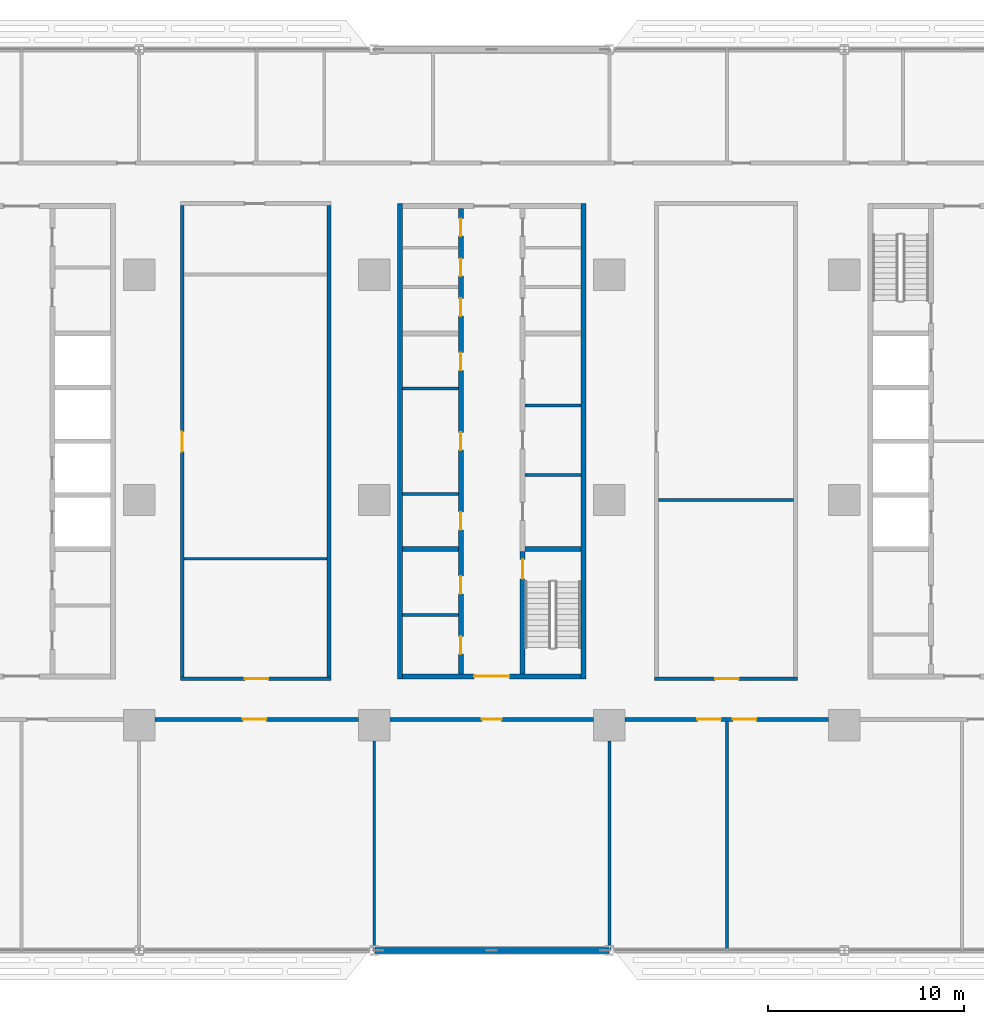
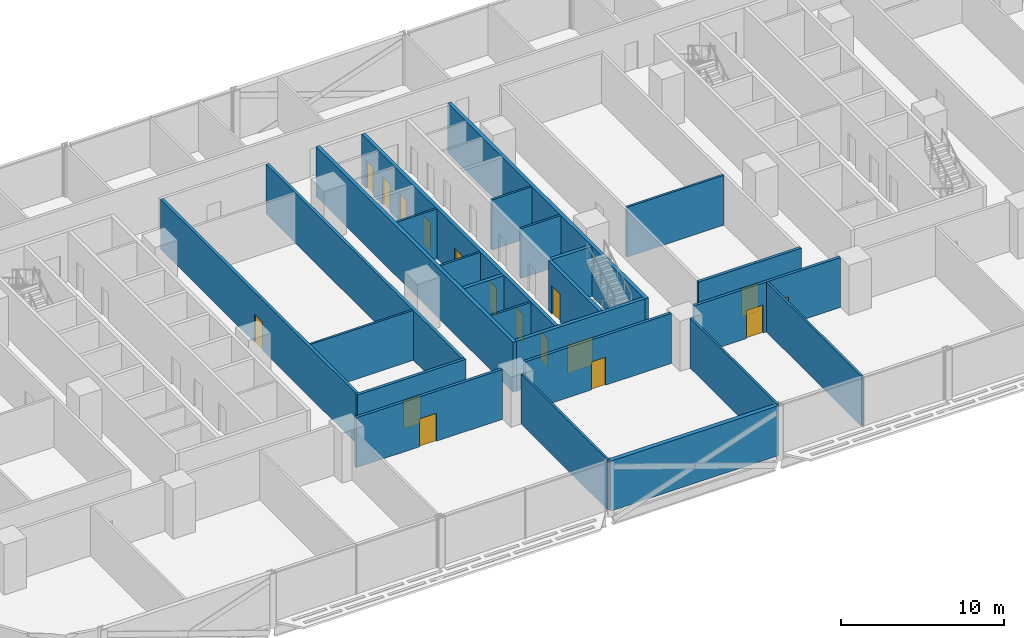
# One storey, part 11 of 29: 25 walls, 17 doors, 17 openings.
"""IFC4 building model written with IfcOpenShell, lengths in metres."""

from ifc_helpers import new_model, si_unit, direction, frame, frame_2d, origin, place, context, subcontext, project, spatial, rectangle, extrude, material, layer, layer_set, type_object, element, fill, save


model = new_model("IFC4")

# Units and contexts
model_context = context("Model", 3, precision=1e-05, world=origin(), true_north=direction((0.0, 1.0)))
body_context = subcontext(model_context, "Body", "Model", "MODEL_VIEW")
ifc_project = project(units=[si_unit("LENGTHUNIT", "METRE"), si_unit("AREAUNIT", "SQUARE_METRE"), si_unit("VOLUMEUNIT", "CUBIC_METRE"), si_unit("PLANEANGLEUNIT", "RADIAN"), si_unit("MASSUNIT", "GRAM", prefix="KILO")], contexts=[model_context])

# Site, building, storey
site_placement = place(None, origin())
site = spatial("IfcSite", under=ifc_project, at=site_placement, CompositionType="ELEMENT")
building_placement = place(site_placement, origin())
building = spatial("IfcBuilding", under=site, at=building_placement, Name="Mahtab Terrace Research Tower", CompositionType="ELEMENT")
storey_placement = place(building_placement, frame((0.0, 0.0, 37.300048828125)))
storey = spatial("IfcBuildingStorey", under=building, at=storey_placement, Name="L08", CompositionType="ELEMENT", Elevation=37.300048828125)

# Walls
ifc_material_1 = material(Name="Gypsum board partition")
ifc_layer_1 = layer(ifc_material_1, 0.14990234375)
ifc_layer_set_1 = layer_set([ifc_layer_1], Name="Core partition 150")
wall_type_1 = type_object("IfcWallType", Name="Core partition 150", PredefinedType="PARTITIONING", material=ifc_layer_set_1)
for number, where, z_axis, x_axis, name in (
    (1, (-4.550048828125, 0.3125, 0.0), (0.0, 0.0, 1.0), (1.0, 0.0, 0.0), "Core wall B pWL-269"),
    (2, (-4.550048828125, 5.6875, 0.0), (0.0, 0.0, 1.0), (1.0, 0.0, 0.0), "Core wall B pWL269"),
    (3, (1.699951171875, 1.280029296875, 0.0), (0.0, 0.0, 1.0), (1.0, 0.0, 0.0), "Core wall B pEL-172"),
    (4, (1.699951171875, 4.827392578125, 0.0), (0.0, 0.0, 1.0), (1.0, 0.0, 0.0), "Core wall B pEL183"),
    (5, (-4.550048828125, -5.875, 0.0), (0.0, 0.0, 1.0), (1.0, 0.0, 0.0), "Core wall B pWS-888"),
):
    element("IfcWall", number, at=place(storey_placement, frame(where, z_axis=z_axis, x_axis=x_axis)), inside=storey, type_object=wall_type_1, Name=name, PredefinedType="PARTITIONING", context=body_context, shape_type="SweptSolid", body=[
        extrude(rectangle(XDim=2.85009765625, YDim=0.14990234375, at=frame_2d((1.425048828125, 0.0))), origin(), (0.0, 0.0, 1.0), 3.75),
    ])
ifc_material_2 = material(Name="Concrete C70/85", Category="concrete")
ifc_layer_2 = layer(ifc_material_2, 0.25)
ifc_layer_set_2 = layer_set([ifc_layer_2], Name="Core wall 250")
wall_type_2 = type_object("IfcWallType", Name="Core wall 250", PredefinedType="SOLIDWALL", material=ifc_layer_set_2)
for number, where, z_axis, x_axis, name in (
    (6, (-4.675048828125, 15.125, 0.0), (0.0, 0.0, 1.0), (0.0, -1.0, 0.0), "Core wall B outerW"),
    (7, (4.675048828125, -9.125, 0.0), (0.0, 0.0, 1.0), (0.0, 1.0, 0.0), "Core wall B outerE"),
):
    element("IfcWall", number, at=place(storey_placement, frame(where, z_axis=z_axis, x_axis=x_axis)), inside=storey, type_object=wall_type_2, Name=name, PredefinedType="SOLIDWALL", context=body_context, shape_type="SweptSolid", body=[
        extrude(rectangle(XDim=24.25, YDim=0.25, at=frame_2d((12.125, 0.0))), origin(), (0.0, 0.0, 1.0), 3.75),
    ])

# Wall, opening, door
wall_1_placement = place(storey_placement, frame((4.550048828125, -9.0, 0.0), z_axis=(0.0, 0.0, 1.0), x_axis=(-1.0, 0.0, 0.0)))
wall_1 = element("IfcWall", 8, at=wall_1_placement, inside=storey, type_object=wall_type_2, Name="Core wall B endS", PredefinedType="SOLIDWALL", context=body_context, shape_type="SweptSolid", body=[
    extrude(rectangle(XDim=9.10009765625, YDim=0.25, at=frame_2d((4.550048828125, 0.0))), origin(), (0.0, 0.0, 1.0), 3.75),
])
opening_1_placement = place(wall_1_placement, frame((3.64990234375, 0.0, 0.0)))
opening_1 = element("IfcOpeningElement", 9, at=opening_1_placement, cuts=wall_1, Name="Opening B-S1", PredefinedType="OPENING", context=body_context, shape_type="SweptSolid", body=[
    extrude(rectangle(XDim=1.800048828125, YDim=2.10009765625, at=frame_2d((0.89990234375, 1.050048828125))), frame((0.0, 0.135009765625, 0.0), z_axis=(0.0, -1.0, 0.0), x_axis=(1.0, 0.0, 0.0)), (0.0, 0.0, 1.0), 0.27001953125),
])
ifc_material_3 = material(Name="Steel fire door", Category="steel")
door_type_1 = type_object("IfcDoorType", Name="Lobby double door 1800x2100 1 HR", OperationType="DOUBLE_DOOR_SINGLE_SWING", PredefinedType="DOOR", material=ifc_material_3)
door_1_placement = place(opening_1_placement, origin())
door_1 = element("IfcDoor", 10, at=door_1_placement, inside=storey, type_object=door_type_1, Name="Core entrance door B S", OperationType="DOUBLE_DOOR_SINGLE_SWING", OverallHeight=2.10009765625, OverallWidth=1.800048828125, PredefinedType="DOOR", context=body_context, shape_type="SweptSolid", body=[
    extrude(rectangle(XDim=1.800048828125, YDim=2.10009765625, at=frame_2d((0.89990234375, 1.050048828125))), frame((0.0, 0.02490234375, 0.0), z_axis=(0.0, -1.0, 0.0), x_axis=(1.0, 0.0, 0.0)), (0.0, 0.0, 1.0), 0.050048828125),
])
fill(opening_1, door_1)

# Wall, openings, doors
wall_2_placement = place(storey_placement, frame((-1.574951171875, -8.875, 0.0), z_axis=(0.0, 0.0, 1.0), x_axis=(0.0, 1.0, 0.0)))
wall_2 = element("IfcWall", 11, at=wall_2_placement, inside=storey, type_object=wall_type_2, Name="Core wall B innerWSLN", PredefinedType="SOLIDWALL", context=body_context, shape_type="SweptSolid", body=[
    extrude(rectangle(XDim=23.75, YDim=0.25, at=frame_2d((11.875, 0.0))), origin(), (0.0, 0.0, 1.0), 3.75),
])
opening_2_placement = place(wall_2_placement, frame((7.356201171875, 0.0, 0.0)))
opening_2 = element("IfcOpeningElement", 12, at=opening_2_placement, cuts=wall_2, Name="Opening B-R1", PredefinedType="OPENING", context=body_context, shape_type="SweptSolid", body=[
    extrude(rectangle(XDim=0.89990234375, YDim=2.10009765625, at=frame_2d((0.449951171875, 1.050048828125))), frame((0.0, 0.135009765625, 0.0), z_axis=(0.0, -1.0, 0.0), x_axis=(1.0, 0.0, 0.0)), (0.0, 0.0, 1.0), 0.27001953125),
])
opening_3_placement = place(wall_2_placement, frame((11.425048828125, 0.0, 0.0)))
opening_3 = element("IfcOpeningElement", 13, at=opening_3_placement, cuts=wall_2, Name="Opening B-R2", PredefinedType="OPENING", context=body_context, shape_type="SweptSolid", body=[
    extrude(rectangle(XDim=0.89990234375, YDim=2.10009765625, at=frame_2d((0.449951171875, 1.050048828125))), frame((0.0, 0.135009765625, 0.0), z_axis=(0.0, -1.0, 0.0), x_axis=(1.0, 0.0, 0.0)), (0.0, 0.0, 1.0), 0.27001953125),
])
opening_4_placement = place(wall_2_placement, frame((15.493896484375, 0.0, 0.0)))
opening_4 = element("IfcOpeningElement", 14, at=opening_4_placement, cuts=wall_2, Name="Opening B-R3", PredefinedType="OPENING", context=body_context, shape_type="SweptSolid", body=[
    extrude(rectangle(XDim=0.89990234375, YDim=2.10009765625, at=frame_2d((0.449951171875, 1.050048828125))), frame((0.0, 0.135009765625, 0.0), z_axis=(0.0, -1.0, 0.0), x_axis=(1.0, 0.0, 0.0)), (0.0, 0.0, 1.0), 0.27001953125),
])
opening_5_placement = place(wall_2_placement, frame((1.012451171875, 0.0, 0.0)))
opening_5 = element("IfcOpeningElement", 15, at=opening_5_placement, cuts=wall_2, Name="Opening B-R7", PredefinedType="OPENING", context=body_context, shape_type="SweptSolid", body=[
    extrude(rectangle(XDim=0.89990234375, YDim=2.10009765625, at=frame_2d((0.449951171875, 1.050048828125))), frame((0.0, 0.135009765625, 0.0), z_axis=(0.0, -1.0, 0.0), x_axis=(1.0, 0.0, 0.0)), (0.0, 0.0, 1.0), 0.27001953125),
])
opening_6_placement = place(wall_2_placement, frame((4.08740234375, 0.0, 0.0)))
opening_6 = element("IfcOpeningElement", 16, at=opening_6_placement, cuts=wall_2, Name="Opening B-R8", PredefinedType="OPENING", context=body_context, shape_type="SweptSolid", body=[
    extrude(rectangle(XDim=0.89990234375, YDim=2.10009765625, at=frame_2d((0.449951171875, 1.050048828125))), frame((0.0, 0.135009765625, 0.0), z_axis=(0.0, -1.0, 0.0), x_axis=(1.0, 0.0, 0.0)), (0.0, 0.0, 1.0), 0.27001953125),
])
opening_7_placement = place(wall_2_placement, frame((18.262451171875, 0.0, 0.0)))
opening_7 = element("IfcOpeningElement", 17, at=opening_7_placement, cuts=wall_2, Name="Opening B-R9", PredefinedType="OPENING", context=body_context, shape_type="SweptSolid", body=[
    extrude(rectangle(XDim=0.89990234375, YDim=2.10009765625, at=frame_2d((0.449951171875, 1.050048828125))), frame((0.0, 0.135009765625, 0.0), z_axis=(0.0, -1.0, 0.0), x_axis=(1.0, 0.0, 0.0)), (0.0, 0.0, 1.0), 0.27001953125),
])
opening_8_placement = place(wall_2_placement, frame((20.300048828125, 0.0, 0.0)))
opening_8 = element("IfcOpeningElement", 18, at=opening_8_placement, cuts=wall_2, Name="Opening B-R10", PredefinedType="OPENING", context=body_context, shape_type="SweptSolid", body=[
    extrude(rectangle(XDim=0.89990234375, YDim=2.10009765625, at=frame_2d((0.449951171875, 1.050048828125))), frame((0.0, 0.135009765625, 0.0), z_axis=(0.0, -1.0, 0.0), x_axis=(1.0, 0.0, 0.0)), (0.0, 0.0, 1.0), 0.27001953125),
])
opening_9_placement = place(wall_2_placement, frame((22.33740234375, 0.0, 0.0)))
opening_9 = element("IfcOpeningElement", 19, at=opening_9_placement, cuts=wall_2, Name="Opening B-R11", PredefinedType="OPENING", context=body_context, shape_type="SweptSolid", body=[
    extrude(rectangle(XDim=0.89990234375, YDim=2.10009765625, at=frame_2d((0.449951171875, 1.050048828125))), frame((0.0, 0.135009765625, 0.0), z_axis=(0.0, -1.0, 0.0), x_axis=(1.0, 0.0, 0.0)), (0.0, 0.0, 1.0), 0.27001953125),
])
door_type_2 = type_object("IfcDoorType", Name="Room door 900x2100 1 HR", OperationType="NOTDEFINED", PredefinedType="DOOR", material=ifc_material_3)
door_2_placement = place(opening_2_placement, origin())
door_2 = element("IfcDoor", 20, at=door_2_placement, inside=storey, type_object=door_type_2, Name="Comms room door", OperationType="SINGLE_SWING_LEFT", OverallHeight=2.10009765625, OverallWidth=0.89990234375, PredefinedType="DOOR", context=body_context, shape_type="SweptSolid", body=[
    extrude(rectangle(XDim=0.89990234375, YDim=2.10009765625, at=frame_2d((0.449951171875, 1.050048828125))), frame((0.0, 0.02490234375, 0.0), z_axis=(0.0, -1.0, 0.0), x_axis=(1.0, 0.0, 0.0)), (0.0, 0.0, 1.0), 0.050048828125),
])
fill(opening_2, door_2)
door_3_placement = place(opening_3_placement, origin())
door_3 = element("IfcDoor", 21, at=door_3_placement, inside=storey, type_object=door_type_2, Name="Meeting alcove door", OperationType="SINGLE_SWING_RIGHT", OverallHeight=2.10009765625, OverallWidth=0.89990234375, PredefinedType="DOOR", context=body_context, shape_type="SweptSolid", body=[
    extrude(rectangle(XDim=0.89990234375, YDim=2.10009765625, at=frame_2d((0.449951171875, 1.050048828125))), frame((0.0, 0.02490234375, 0.0), z_axis=(0.0, -1.0, 0.0), x_axis=(1.0, 0.0, 0.0)), (0.0, 0.0, 1.0), 0.050048828125),
])
fill(opening_3, door_3)
door_4_placement = place(opening_4_placement, origin())
door_4 = element("IfcDoor", 22, at=door_4_placement, inside=storey, type_object=door_type_2, Name="Linen store door", OperationType="SINGLE_SWING_LEFT", OverallHeight=2.10009765625, OverallWidth=0.89990234375, PredefinedType="DOOR", context=body_context, shape_type="SweptSolid", body=[
    extrude(rectangle(XDim=0.89990234375, YDim=2.10009765625, at=frame_2d((0.449951171875, 1.050048828125))), frame((0.0, 0.02490234375, 0.0), z_axis=(0.0, -1.0, 0.0), x_axis=(1.0, 0.0, 0.0)), (0.0, 0.0, 1.0), 0.050048828125),
])
fill(opening_4, door_4)
door_5_placement = place(opening_5_placement, origin())
door_5 = element("IfcDoor", 23, at=door_5_placement, inside=storey, type_object=door_type_2, Name="Housekeeping store door", OperationType="SINGLE_SWING_LEFT", OverallHeight=2.10009765625, OverallWidth=0.89990234375, PredefinedType="DOOR", context=body_context, shape_type="SweptSolid", body=[
    extrude(rectangle(XDim=0.89990234375, YDim=2.10009765625, at=frame_2d((0.449951171875, 1.050048828125))), frame((0.0, 0.02490234375, 0.0), z_axis=(0.0, -1.0, 0.0), x_axis=(1.0, 0.0, 0.0)), (0.0, 0.0, 1.0), 0.050048828125),
])
fill(opening_5, door_5)
door_6_placement = place(opening_6_placement, origin())
door_6 = element("IfcDoor", 24, at=door_6_placement, inside=storey, type_object=door_type_2, Name="Electrical riser room door", OperationType="SINGLE_SWING_RIGHT", OverallHeight=2.10009765625, OverallWidth=0.89990234375, PredefinedType="DOOR", context=body_context, shape_type="SweptSolid", body=[
    extrude(rectangle(XDim=0.89990234375, YDim=2.10009765625, at=frame_2d((0.449951171875, 1.050048828125))), frame((0.0, 0.02490234375, 0.0), z_axis=(0.0, -1.0, 0.0), x_axis=(1.0, 0.0, 0.0)), (0.0, 0.0, 1.0), 0.050048828125),
])
fill(opening_6, door_6)
door_7_placement = place(opening_7_placement, origin())
door_7 = element("IfcDoor", 25, at=door_7_placement, inside=storey, type_object=door_type_2, Name="Comms riser room door", OperationType="SINGLE_SWING_LEFT", OverallHeight=2.10009765625, OverallWidth=0.89990234375, PredefinedType="DOOR", context=body_context, shape_type="SweptSolid", body=[
    extrude(rectangle(XDim=0.89990234375, YDim=2.10009765625, at=frame_2d((0.449951171875, 1.050048828125))), frame((0.0, 0.02490234375, 0.0), z_axis=(0.0, -1.0, 0.0), x_axis=(1.0, 0.0, 0.0)), (0.0, 0.0, 1.0), 0.050048828125),
])
fill(opening_7, door_7)
door_8_placement = place(opening_8_placement, origin())
door_8 = element("IfcDoor", 26, at=door_8_placement, inside=storey, type_object=door_type_2, Name="Pantry door", OperationType="SINGLE_SWING_RIGHT", OverallHeight=2.10009765625, OverallWidth=0.89990234375, PredefinedType="DOOR", context=body_context, shape_type="SweptSolid", body=[
    extrude(rectangle(XDim=0.89990234375, YDim=2.10009765625, at=frame_2d((0.449951171875, 1.050048828125))), frame((0.0, 0.02490234375, 0.0), z_axis=(0.0, -1.0, 0.0), x_axis=(1.0, 0.0, 0.0)), (0.0, 0.0, 1.0), 0.050048828125),
])
fill(opening_8, door_8)
door_9_placement = place(opening_9_placement, origin())
door_9 = element("IfcDoor", 27, at=door_9_placement, inside=storey, type_object=door_type_2, Name="Cleaners store door", OperationType="SINGLE_SWING_LEFT", OverallHeight=2.10009765625, OverallWidth=0.89990234375, PredefinedType="DOOR", context=body_context, shape_type="SweptSolid", body=[
    extrude(rectangle(XDim=0.89990234375, YDim=2.10009765625, at=frame_2d((0.449951171875, 1.050048828125))), frame((0.0, 0.02490234375, 0.0), z_axis=(0.0, -1.0, 0.0), x_axis=(1.0, 0.0, 0.0)), (0.0, 0.0, 1.0), 0.050048828125),
])
fill(opening_9, door_9)

# Wall, opening, door
wall_3_placement = place(storey_placement, frame((1.574951171875, -8.875, 0.0), z_axis=(0.0, 0.0, 1.0), x_axis=(0.0, 1.0, 0.0)))
wall_3 = element("IfcWall", 28, at=wall_3_placement, inside=storey, type_object=wall_type_2, Name="Core wall B innerES", PredefinedType="SOLIDWALL", context=body_context, shape_type="SweptSolid", body=[
    extrude(rectangle(XDim=6.25, YDim=0.25, at=frame_2d((3.125, 0.0))), origin(), (0.0, 0.0, 1.0), 3.75),
])
opening_10_placement = place(wall_3_placement, frame((4.85009765625, 0.0, 0.0)))
opening_10 = element("IfcOpeningElement", 29, at=opening_10_placement, cuts=wall_3, Name="Opening B-ST2", PredefinedType="OPENING", context=body_context, shape_type="SweptSolid", body=[
    extrude(rectangle(XDim=1.0, YDim=2.10009765625, at=frame_2d((0.5, 1.050048828125))), frame((0.0, 0.135009765625, 0.0), z_axis=(0.0, -1.0, 0.0), x_axis=(1.0, 0.0, 0.0)), (0.0, 0.0, 1.0), 0.27001953125),
])
door_type_3 = type_object("IfcDoorType", Name="Stair door 1000x2100 1.5 HR", OperationType="NOTDEFINED", PredefinedType="DOOR", material=ifc_material_3)
door_10_placement = place(opening_10_placement, origin())
door_10 = element("IfcDoor", 30, at=door_10_placement, inside=storey, type_object=door_type_3, Name="Stair door ST2 L08", OperationType="SINGLE_SWING_LEFT", OverallHeight=2.10009765625, OverallWidth=1.0, PredefinedType="DOOR", context=body_context, shape_type="SweptSolid", body=[
    extrude(rectangle(XDim=1.0, YDim=2.10009765625, at=frame_2d((0.5, 1.050048828125))), frame((0.0, 0.02490234375, 0.0), z_axis=(0.0, -1.0, 0.0), x_axis=(1.0, 0.0, 0.0)), (0.0, 0.0, 1.0), 0.050048828125),
])
fill(opening_10, door_10)

# Walls
for number, where, z_axis, x_axis, name in (
    (31, (-4.550048828125, -2.5, 0.0), (0.0, 0.0, 1.0), (1.0, 0.0, 0.0), "Core wall B divW0"),
    (32, (1.699951171875, -2.5, 0.0), (0.0, 0.0, 1.0), (1.0, 0.0, 0.0), "Core wall B divE0"),
):
    element("IfcWall", number, at=place(storey_placement, frame(where, z_axis=z_axis, x_axis=x_axis)), inside=storey, type_object=wall_type_2, Name=name, PredefinedType="SOLIDWALL", context=body_context, shape_type="SweptSolid", body=[
        extrude(rectangle(XDim=2.85009765625, YDim=0.25, at=frame_2d((1.425048828125, 0.0))), origin(), (0.0, 0.0, 1.0), 3.75),
    ])
ifc_material_4 = material(Name="Black aluminium cladding panel", Category="aluminium")
ifc_layer_3 = layer(ifc_material_4, 0.300048828125)
ifc_layer_set_3 = layer_set([ifc_layer_3], Name="Opaque facade wall 300")
wall_type_3 = type_object("IfcWallType", Name="Opaque facade wall 300", PredefinedType="NOTDEFINED", material=ifc_layer_set_3)
wall_4_placement = place(storey_placement, frame((-5.97216796875, -23.0, 0.0), z_axis=(0.0, 0.0, 1.0), x_axis=(1.0, 0.0, 0.0)))
element("IfcWall", 33, at=wall_4_placement, inside=storey, type_object=wall_type_3, Name="Opaque facade wall L08 S25", PredefinedType="NOTDEFINED", context=body_context, shape_type="SweptSolid", body=[
    extrude(rectangle(XDim=11.9443359375, YDim=0.300048828125, at=frame_2d((5.97216796875, 0.0))), origin(), (0.0, 0.0, 1.0), 3.75),
])

# Wall, opening, door
ifc_material_5 = material(Name="Gypsum board corridor wall on steel studs", Category="steel")
ifc_layer_4 = layer(ifc_material_5, 0.199951171875)
ifc_layer_set_4 = layer_set([ifc_layer_4], Name="WALL CORRIDOR 200")
wall_type_4 = type_object("IfcWallType", Name="WALL CORRIDOR 200", PredefinedType="PARTITIONING", material=ifc_layer_set_4)
wall_5_placement = place(storey_placement, frame((-17.199951171875, -11.199951171875, 0.0), z_axis=(0.0, 0.0, 1.0), x_axis=(1.0, 0.0, 0.0)))
wall_5 = element("IfcWall", 34, at=wall_5_placement, inside=storey, type_object=wall_type_4, Name="L08-W004", PredefinedType="PARTITIONING", context=body_context, shape_type="SweptSolid", body=[
    extrude(rectangle(XDim=10.39990234375, YDim=0.199951171875, at=frame_2d((5.199951171875, 0.0))), origin(), (0.0, 0.0, 1.0), 3.75),
])
opening_11_placement = place(wall_5_placement, frame((4.5, 0.0, 0.0)))
opening_11 = element("IfcOpeningElement", 35, at=opening_11_placement, cuts=wall_5, Name="Opening L08-104", PredefinedType="OPENING", context=body_context, shape_type="SweptSolid", body=[
    extrude(rectangle(XDim=1.199951171875, YDim=2.10009765625, at=frame_2d((0.60009765625, 1.050048828125))), frame((0.0, 0.10986328125, 0.0), z_axis=(0.0, -1.0, 0.0), x_axis=(1.0, 0.0, 0.0)), (0.0, 0.0, 1.0), 0.219970703125),
])
ifc_material_6 = material(Name="Timber door leaf in steel frame", Category="steel")
door_type_4 = type_object("IfcDoorType", Name="DOOR 1200X2100 FD30S", OperationType="SINGLE_SWING_LEFT", PredefinedType="DOOR", material=ifc_material_6)
door_11_placement = place(opening_11_placement, origin())
door_11 = element("IfcDoor", 36, at=door_11_placement, inside=storey, type_object=door_type_4, Name="Door L08-104", OperationType="SINGLE_SWING_RIGHT", OverallHeight=2.10009765625, OverallWidth=1.199951171875, PredefinedType="DOOR", context=body_context, shape_type="SweptSolid", body=[
    extrude(rectangle(XDim=1.199951171875, YDim=2.10009765625, at=frame_2d((0.60009765625, 1.050048828125))), frame((0.0, 0.02490234375, 0.0), z_axis=(0.0, -1.0, 0.0), x_axis=(1.0, 0.0, 0.0)), (0.0, 0.0, 1.0), 0.050048828125),
])
fill(opening_11, door_11)

wall_6_placement = place(storey_placement, frame((-5.199951171875, -11.199951171875, 0.0), z_axis=(0.0, 0.0, 1.0), x_axis=(1.0, 0.0, 0.0)))
wall_6 = element("IfcWall", 37, at=wall_6_placement, inside=storey, type_object=wall_type_4, Name="L08-W005", PredefinedType="PARTITIONING", context=body_context, shape_type="SweptSolid", body=[
    extrude(rectangle(XDim=10.39990234375, YDim=0.199951171875, at=frame_2d((5.199951171875, 0.0))), origin(), (0.0, 0.0, 1.0), 3.75),
])
opening_12_placement = place(wall_6_placement, frame((4.699951171875, 0.0, 0.0)))
opening_12 = element("IfcOpeningElement", 38, at=opening_12_placement, cuts=wall_6, Name="Opening L08-105", PredefinedType="OPENING", context=body_context, shape_type="SweptSolid", body=[
    extrude(rectangle(XDim=1.0, YDim=2.10009765625, at=frame_2d((0.5, 1.050048828125))), frame((0.0, 0.10986328125, 0.0), z_axis=(0.0, -1.0, 0.0), x_axis=(1.0, 0.0, 0.0)), (0.0, 0.0, 1.0), 0.219970703125),
])
door_type_5 = type_object("IfcDoorType", Name="DOOR 1000X2100 FD30S", OperationType="SINGLE_SWING_LEFT", PredefinedType="DOOR", material=ifc_material_6)
door_12_placement = place(opening_12_placement, origin())
door_12 = element("IfcDoor", 39, at=door_12_placement, inside=storey, type_object=door_type_5, Name="Door L08-105", OperationType="SINGLE_SWING_RIGHT", OverallHeight=2.10009765625, OverallWidth=1.0, PredefinedType="DOOR", context=body_context, shape_type="SweptSolid", body=[
    extrude(rectangle(XDim=1.0, YDim=2.10009765625, at=frame_2d((0.5, 1.050048828125))), frame((0.0, 0.02490234375, 0.0), z_axis=(0.0, -1.0, 0.0), x_axis=(1.0, 0.0, 0.0)), (0.0, 0.0, 1.0), 0.050048828125),
])
fill(opening_12, door_12)

# Wall, openings, doors
wall_7_placement = place(storey_placement, frame((6.800048828125, -11.199951171875, 0.0), z_axis=(0.0, 0.0, 1.0), x_axis=(1.0, 0.0, 0.0)))
wall_7 = element("IfcWall", 40, at=wall_7_placement, inside=storey, type_object=wall_type_4, Name="L08-W006", PredefinedType="PARTITIONING", context=body_context, shape_type="SweptSolid", body=[
    extrude(rectangle(XDim=10.39990234375, YDim=0.199951171875, at=frame_2d((5.199951171875, 0.0))), origin(), (0.0, 0.0, 1.0), 3.75),
])
opening_13_placement = place(wall_7_placement, frame((3.699951171875, 0.0, 0.0)))
opening_13 = element("IfcOpeningElement", 41, at=opening_13_placement, cuts=wall_7, Name="Opening L08-106", PredefinedType="OPENING", context=body_context, shape_type="SweptSolid", body=[
    extrude(rectangle(XDim=1.199951171875, YDim=2.10009765625, at=frame_2d((0.60009765625, 1.050048828125))), frame((0.0, 0.10986328125, 0.0), z_axis=(0.0, -1.0, 0.0), x_axis=(1.0, 0.0, 0.0)), (0.0, 0.0, 1.0), 0.219970703125),
])
opening_14_placement = place(wall_7_placement, frame((5.5, 0.0, 0.0)))
opening_14 = element("IfcOpeningElement", 42, at=opening_14_placement, cuts=wall_7, Name="Opening L08-107", PredefinedType="OPENING", context=body_context, shape_type="SweptSolid", body=[
    extrude(rectangle(XDim=1.199951171875, YDim=2.10009765625, at=frame_2d((0.60009765625, 1.050048828125))), frame((0.0, 0.10986328125, 0.0), z_axis=(0.0, -1.0, 0.0), x_axis=(1.0, 0.0, 0.0)), (0.0, 0.0, 1.0), 0.219970703125),
])
door_13_placement = place(opening_13_placement, origin())
door_13 = element("IfcDoor", 43, at=door_13_placement, inside=storey, type_object=door_type_4, Name="Door L08-106", OperationType="SINGLE_SWING_RIGHT", OverallHeight=2.10009765625, OverallWidth=1.199951171875, PredefinedType="DOOR", context=body_context, shape_type="SweptSolid", body=[
    extrude(rectangle(XDim=1.199951171875, YDim=2.10009765625, at=frame_2d((0.60009765625, 1.050048828125))), frame((0.0, 0.02490234375, 0.0), z_axis=(0.0, -1.0, 0.0), x_axis=(1.0, 0.0, 0.0)), (0.0, 0.0, 1.0), 0.050048828125),
])
fill(opening_13, door_13)
door_14_placement = place(opening_14_placement, origin())
door_14 = element("IfcDoor", 44, at=door_14_placement, inside=storey, type_object=door_type_4, Name="Door L08-107", OperationType="SINGLE_SWING_LEFT", OverallHeight=2.10009765625, OverallWidth=1.199951171875, PredefinedType="DOOR", context=body_context, shape_type="SweptSolid", body=[
    extrude(rectangle(XDim=1.199951171875, YDim=2.10009765625, at=frame_2d((0.60009765625, 1.050048828125))), frame((0.0, 0.02490234375, 0.0), z_axis=(0.0, -1.0, 0.0), x_axis=(1.0, 0.0, 0.0)), (0.0, 0.0, 1.0), 0.050048828125),
])
fill(opening_14, door_14)

# Wall, opening, door
wall_8_placement = place(storey_placement, frame((-15.89990234375, -9.125, 0.0), z_axis=(0.0, 0.0, 1.0), x_axis=(1.0, 0.0, 0.0)))
wall_8 = element("IfcWall", 45, at=wall_8_placement, inside=storey, type_object=wall_type_4, Name="L08-W011", PredefinedType="PARTITIONING", context=body_context, shape_type="SweptSolid", body=[
    extrude(rectangle(XDim=7.699951171875, YDim=0.199951171875, at=frame_2d((3.85009765625, 0.0))), origin(), (0.0, 0.0, 1.0), 3.75),
])
opening_15_placement = place(wall_8_placement, frame((3.300048828125, 0.0, 0.0)))
opening_15 = element("IfcOpeningElement", 46, at=opening_15_placement, cuts=wall_8, Name="Opening L08-111", PredefinedType="OPENING", context=body_context, shape_type="SweptSolid", body=[
    extrude(rectangle(XDim=1.199951171875, YDim=2.10009765625, at=frame_2d((0.60009765625, 1.050048828125))), frame((0.0, 0.10986328125, 0.0), z_axis=(0.0, -1.0, 0.0), x_axis=(1.0, 0.0, 0.0)), (0.0, 0.0, 1.0), 0.219970703125),
])
door_15_placement = place(opening_15_placement, origin())
door_15 = element("IfcDoor", 47, at=door_15_placement, inside=storey, type_object=door_type_4, Name="Door L08-111", OperationType="SINGLE_SWING_RIGHT", OverallHeight=2.10009765625, OverallWidth=1.199951171875, PredefinedType="DOOR", context=body_context, shape_type="SweptSolid", body=[
    extrude(rectangle(XDim=1.199951171875, YDim=2.10009765625, at=frame_2d((0.60009765625, 1.050048828125))), frame((0.0, 0.02490234375, 0.0), z_axis=(0.0, -1.0, 0.0), x_axis=(1.0, 0.0, 0.0)), (0.0, 0.0, 1.0), 0.050048828125),
])
fill(opening_15, door_15)

wall_9_placement = place(storey_placement, frame((8.300048828125, -9.125, 0.0), z_axis=(0.0, 0.0, 1.0), x_axis=(1.0, 0.0, 0.0)))
wall_9 = element("IfcWall", 48, at=wall_9_placement, inside=storey, type_object=wall_type_4, Name="L08-W012", PredefinedType="PARTITIONING", context=body_context, shape_type="SweptSolid", body=[
    extrude(rectangle(XDim=7.300048828125, YDim=0.199951171875, at=frame_2d((3.64990234375, 0.0))), origin(), (0.0, 0.0, 1.0), 3.75),
])
opening_16_placement = place(wall_9_placement, frame((3.10009765625, 0.0, 0.0)))
opening_16 = element("IfcOpeningElement", 49, at=opening_16_placement, cuts=wall_9, Name="Opening L08-116", PredefinedType="OPENING", context=body_context, shape_type="SweptSolid", body=[
    extrude(rectangle(XDim=1.199951171875, YDim=2.10009765625, at=frame_2d((0.60009765625, 1.050048828125))), frame((0.0, 0.10986328125, 0.0), z_axis=(0.0, -1.0, 0.0), x_axis=(1.0, 0.0, 0.0)), (0.0, 0.0, 1.0), 0.219970703125),
])
door_16_placement = place(opening_16_placement, origin())
door_16 = element("IfcDoor", 50, at=door_16_placement, inside=storey, type_object=door_type_4, Name="Door L08-116", OperationType="SINGLE_SWING_RIGHT", OverallHeight=2.10009765625, OverallWidth=1.199951171875, PredefinedType="DOOR", context=body_context, shape_type="SweptSolid", body=[
    extrude(rectangle(XDim=1.199951171875, YDim=2.10009765625, at=frame_2d((0.60009765625, 1.050048828125))), frame((0.0, 0.02490234375, 0.0), z_axis=(0.0, -1.0, 0.0), x_axis=(1.0, 0.0, 0.0)), (0.0, 0.0, 1.0), 0.050048828125),
])
fill(opening_16, door_16)

wall_10_placement = place(storey_placement, frame((-15.800048828125, -9.02490234375, 0.0), z_axis=(0.0, 0.0, 1.0), x_axis=(0.0, 1.0, 0.0)))
wall_10 = element("IfcWall", 51, at=wall_10_placement, inside=storey, type_object=wall_type_4, Name="L08-W038", PredefinedType="PARTITIONING", context=body_context, shape_type="SweptSolid", body=[
    extrude(rectangle(XDim=24.0498046875, YDim=0.199951171875, at=frame_2d((12.02490234375, 0.0))), origin(), (0.0, 0.0, 1.0), 3.75),
])
opening_17_placement = place(wall_10_placement, frame((11.5, 0.0, 0.0)))
opening_17 = element("IfcOpeningElement", 52, at=opening_17_placement, cuts=wall_10, Name="Opening L08-117", PredefinedType="OPENING", context=body_context, shape_type="SweptSolid", body=[
    extrude(rectangle(XDim=1.0, YDim=2.10009765625, at=frame_2d((0.5, 1.050048828125))), frame((0.0, 0.10986328125, 0.0), z_axis=(0.0, -1.0, 0.0), x_axis=(1.0, 0.0, 0.0)), (0.0, 0.0, 1.0), 0.219970703125),
])
door_17_placement = place(opening_17_placement, origin())
door_17 = element("IfcDoor", 53, at=door_17_placement, inside=storey, type_object=door_type_5, Name="Door L08-117", OperationType="SINGLE_SWING_RIGHT", OverallHeight=2.10009765625, OverallWidth=1.0, PredefinedType="DOOR", context=body_context, shape_type="SweptSolid", body=[
    extrude(rectangle(XDim=1.0, YDim=2.10009765625, at=frame_2d((0.5, 1.050048828125))), frame((0.0, 0.02490234375, 0.0), z_axis=(0.0, -1.0, 0.0), x_axis=(1.0, 0.0, 0.0)), (0.0, 0.0, 1.0), 0.050048828125),
])
fill(opening_17, door_17)

# Walls
wall_11_placement = place(storey_placement, frame((-8.300048828125, -9.02490234375, 0.0), z_axis=(0.0, 0.0, 1.0), x_axis=(0.0, 1.0, 0.0)))
element("IfcWall", 54, at=wall_11_placement, inside=storey, type_object=wall_type_4, Name="L08-W041", PredefinedType="PARTITIONING", context=body_context, shape_type="SweptSolid", body=[
    extrude(rectangle(XDim=24.0498046875, YDim=0.199951171875, at=frame_2d((12.02490234375, 0.0))), origin(), (0.0, 0.0, 1.0), 3.75),
])
ifc_material_7 = material(Name="Gypsum board partition on steel studs", Category="steel")
ifc_layer_5 = layer(ifc_material_7, 0.14990234375)
ifc_layer_set_5 = layer_set([ifc_layer_5], Name="WALL PARTITION 150")
wall_type_5 = type_object("IfcWallType", Name="WALL PARTITION 150", PredefinedType="PARTITIONING", material=ifc_layer_set_5)
wall_12_placement = place(storey_placement, frame((-15.699951171875, -3.0, 0.0), z_axis=(0.0, 0.0, 1.0), x_axis=(1.0, 0.0, 0.0)))
element("IfcWall", 55, at=wall_12_placement, inside=storey, type_object=wall_type_5, Name="L08-W014", PredefinedType="PARTITIONING", context=body_context, shape_type="SweptSolid", body=[
    extrude(rectangle(XDim=7.300048828125, YDim=0.14990234375, at=frame_2d((3.64990234375, 0.0))), origin(), (0.0, 0.0, 1.0), 3.75),
])
wall_13_placement = place(storey_placement, frame((8.5, 0.0, 0.0), z_axis=(0.0, 0.0, 1.0), x_axis=(1.0, 0.0, 0.0)))
element("IfcWall", 56, at=wall_13_placement, inside=storey, type_object=wall_type_5, Name="L08-W018", PredefinedType="PARTITIONING", context=body_context, shape_type="SweptSolid", body=[
    extrude(rectangle(XDim=6.89990234375, YDim=0.14990234375, at=frame_2d((3.449951171875, 0.0))), origin(), (0.0, 0.0, 1.0), 3.75),
])
for number, where, z_axis, x_axis, name in (
    (57, (-6.0, -22.97509765625, 0.0), (0.0, 0.0, 1.0), (0.0, 1.0, 0.0), "L08-W042"),
    (58, (6.0, -22.97509765625, 0.0), (0.0, 0.0, 1.0), (0.0, 1.0, 0.0), "L08-W044"),
):
    element("IfcWall", number, at=place(storey_placement, frame(where, z_axis=z_axis, x_axis=x_axis)), inside=storey, type_object=wall_type_5, Name=name, PredefinedType="PARTITIONING", context=body_context, shape_type="SweptSolid", body=[
        extrude(rectangle(XDim=10.675048828125, YDim=0.14990234375, at=frame_2d((5.33740234375, 0.0))), origin(), (0.0, 0.0, 1.0), 3.75),
    ])
wall_14_placement = place(storey_placement, frame((12.0, -22.97509765625, 0.0), z_axis=(0.0, 0.0, 1.0), x_axis=(0.0, 1.0, 0.0)))
element("IfcWall", 59, at=wall_14_placement, inside=storey, type_object=wall_type_5, Name="L08-W047", PredefinedType="PARTITIONING", context=body_context, shape_type="SweptSolid", body=[
    extrude(rectangle(XDim=11.675048828125, YDim=0.14990234375, at=frame_2d((5.83740234375, 0.0))), origin(), (0.0, 0.0, 1.0), 3.75),
])

save(model, "model.ifc")
